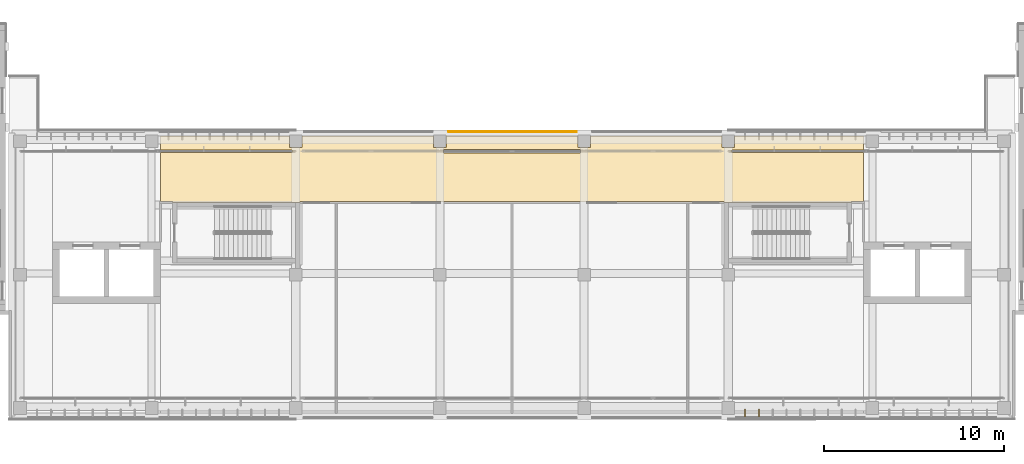
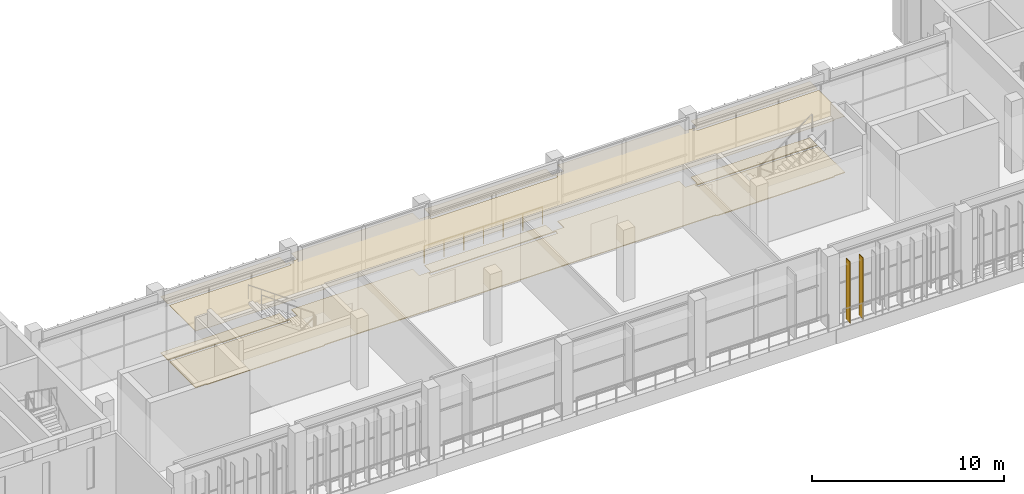
# One storey, part 34 of 46: 2 coverings, 2 shading devices, 1 railing.
"""IFC4 building model written with IfcOpenShell, lengths in metres."""

from ifc_helpers import new_model, si_unit, direction, frame, origin, origin_2d, place, context, subcontext, project, spatial, polyline, rectangle, circle, outline, extrude, material, layer, layer_set, type_object, element, save


model = new_model("IFC4")

# Units and contexts
model_context = context("Model", 3, precision=1e-05, world=origin(), true_north=direction((0.0, 1.0)))
body_context = subcontext(model_context, "Body", "Model", "MODEL_VIEW")
ifc_project = project(units=[si_unit("LENGTHUNIT", "METRE"), si_unit("AREAUNIT", "SQUARE_METRE"), si_unit("VOLUMEUNIT", "CUBIC_METRE"), si_unit("PLANEANGLEUNIT", "RADIAN"), si_unit("MASSUNIT", "GRAM", prefix="KILO")], contexts=[model_context])

# Site, building, storey
site_placement = place(None, origin())
site = spatial("IfcSite", under=ifc_project, at=site_placement, CompositionType="ELEMENT")
building_placement = place(site_placement, origin())
building = spatial("IfcBuilding", under=site, at=building_placement, Name="Lantern Court Media Centre", CompositionType="ELEMENT")
storey_placement = place(building_placement, frame((0.0, 0.0, 28.800048828125)))
storey = spatial("IfcBuildingStorey", under=building, at=storey_placement, Name="L06", CompositionType="ELEMENT", Elevation=28.800048828125)

# Railing
ifc_material_1 = material(Name="Powder-coated steel", Category="steel")
railing_type = type_object("IfcRailingType", Name="Floor edge guard 1100", PredefinedType="GUARDRAIL", material=ifc_material_1)
railing_placement = place(storey_placement, frame((48.48291015625, 57.93994140625, 0.0)))
element("IfcRailing", 1, at=railing_placement, inside=storey, type_object=railing_type, Name="L06 edge guard 239", PredefinedType="GUARDRAIL", context=body_context, shape_type="SweptSolid", body=[
    extrude(circle(Radius=0.02392578125, at=origin_2d()), frame((0.0, 0.0, 1.076171875), z_axis=(1.0, 0.0, 0.0), x_axis=(0.0, 1.0, 0.0)), (0.0, 0.0, 1.0), 7.09814453125),
    extrude(circle(Radius=0.02099609375, at=origin_2d()), origin(), (0.0, 0.0, 1.0), 1.052001953125),
    extrude(circle(Radius=0.02099609375, at=origin_2d()), frame((1.18310546875, 0.0, 0.0)), (0.0, 0.0, 1.0), 1.052001953125),
    extrude(circle(Radius=0.02099609375, at=origin_2d()), frame((2.365966796875, 0.0, 0.0)), (0.0, 0.0, 1.0), 1.052001953125),
    extrude(circle(Radius=0.02099609375, at=origin_2d()), frame((3.549072265625, 0.0, 0.0)), (0.0, 0.0, 1.0), 1.052001953125),
    extrude(circle(Radius=0.02099609375, at=origin_2d()), frame((4.732177734375, 0.0, 0.0)), (0.0, 0.0, 1.0), 1.052001953125),
    extrude(circle(Radius=0.02099609375, at=origin_2d()), frame((5.9150390625, 0.0, 0.0)), (0.0, 0.0, 1.0), 1.052001953125),
    extrude(circle(Radius=0.02099609375, at=origin_2d()), frame((7.09814453125, 0.0, 0.0)), (0.0, 0.0, 1.0), 1.052001953125),
])

# Coverings
ifc_material_2 = material(Name="Mineral fibre ceiling tile")
ifc_layer_1 = layer(ifc_material_2, 0.02001953125)
ifc_layer_set_1 = layer_set([ifc_layer_1], Name="Mineral fibre ceiling tile")
covering_type_1 = type_object("IfcCoveringType", Name="Suspended ceiling tile", PredefinedType="CEILING", material=ifc_layer_set_1)
covering_1_placement = place(storey_placement, frame((0.0, 0.0, 3.599853515625)))
element("IfcCovering", 2, at=covering_1_placement, inside=storey, type_object=covering_type_1, Name="Corridor ceiling", PredefinedType="CEILING", context=body_context, shape_type="SweptSolid", body=[
    extrude(outline(polyline([(71.5, 54.06298828125), (70.849853515625, 54.06298828125), (70.849609375, 54.00048828125), (63.75048828125, 54.00048828125), (63.75, 54.06298828125), (40.25, 54.06298828125), (40.24951171875, 54.00048828125), (33.150390625, 54.00048828125), (33.150146484375, 54.06298828125), (32.5, 54.06298828125), (32.5, 56.7744140625), (39.800048828125, 56.7744140625), (39.800537109375, 56.925048828125), (32.5, 56.925537109375), (32.5, 57.699951171875), (39.6494140625, 57.699951171875), (39.64990234375, 57.049560546875), (40.350341796875, 57.049560546875), (40.3505859375, 57.699951171875), (47.6494140625, 57.699951171875), (47.64990234375, 57.049560546875), (48.350341796875, 57.049560546875), (48.3505859375, 57.699951171875), (55.6494140625, 57.699951171875), (55.64990234375, 57.049560546875), (56.350341796875, 57.049560546875), (56.3505859375, 57.699951171875), (63.6494140625, 57.699951171875), (63.64990234375, 57.049560546875), (64.350341796875, 57.049560546875), (64.3505859375, 57.699951171875), (71.5, 57.699951171875), (71.5, 56.925537109375), (64.199462890625, 56.925048828125), (64.199951171875, 56.7744140625), (71.5, 56.7744140625), (71.5, 54.06298828125)]), holes=[polyline([(48.199462890625, 56.75), (55.800048828125, 56.74951171875), (55.800537109375, 56.949951171875), (48.199951171875, 56.950439453125), (48.199462890625, 56.75)])]), origin(), (0.0, 0.0, 1.0), 0.02001953125),
])
ifc_material_3 = material(Name="Terrazzo")
ifc_layer_2 = layer(ifc_material_3, 0.050048828125)
ifc_layer_set_2 = layer_set([ifc_layer_2], Name="Terrazzo")
covering_type_2 = type_object("IfcCoveringType", Name="Terrazzo floor finish", PredefinedType="FLOORING", material=ifc_layer_set_2)
covering_2_placement = place(storey_placement, origin())
element("IfcCovering", 3, at=covering_2_placement, inside=storey, type_object=covering_type_2, Name="Corridor floor finish", PredefinedType="FLOORING", context=body_context, shape_type="SweptSolid", body=[
    extrude(outline(polyline([(71.5, 54.0673828125), (70.849609375, 54.0673828125), (70.844970703125, 54.0048828125), (63.7548828125, 54.0048828125), (63.75, 54.0673828125), (40.25, 54.0673828125), (40.2451171875, 54.0048828125), (33.155029296875, 54.0048828125), (33.150390625, 54.0673828125), (32.5, 54.0673828125), (32.5, 56.77001953125), (39.800048828125, 56.77001953125), (39.804931640625, 56.926025390625), (32.5, 56.929931640625), (32.5, 57.699951171875), (39.64501953125, 57.699951171875), (39.64990234375, 57.044921875), (40.353515625, 57.04638671875), (40.35498046875, 57.699951171875), (47.64501953125, 57.699951171875), (47.64990234375, 57.044921875), (48.353515625, 57.04638671875), (48.35498046875, 57.699951171875), (55.64501953125, 57.699951171875), (55.64990234375, 57.044921875), (56.353515625, 57.04638671875), (56.35498046875, 57.699951171875), (63.64501953125, 57.699951171875), (63.64990234375, 57.044921875), (64.353515625, 57.04638671875), (64.35498046875, 57.699951171875), (71.5, 57.699951171875), (71.5, 56.929931640625), (64.195068359375, 56.925048828125), (64.199951171875, 56.77001953125), (71.5, 56.77001953125), (71.5, 54.0673828125)]), holes=[polyline([(48.195068359375, 56.75), (55.800048828125, 56.7451171875), (55.804931640625, 56.949951171875), (48.199951171875, 56.955078125), (48.195068359375, 56.75)])]), origin(), (0.0, 0.0, 1.0), 0.050048828125),
])

# Shading devices
ifc_material_4 = material(Name="Bronze anodised aluminium louvre", Category="aluminium")
ifc_layer_3 = layer(ifc_material_4, 0.0400390625)
ifc_layer_set_3 = layer_set([ifc_layer_3], Name="Bronze anodised aluminium louvre")
shading_device_type = type_object("IfcShadingDeviceType", Name="Vertical louvre 40x400 under beam", PredefinedType="USERDEFINED", material=ifc_layer_set_3)
for number, where, z_axis, x_axis, name in (
    (4, (64.933349609375, 42.320068359375, 0.0), (0.0, 0.0, 1.0), (1.0, 0.0, 0.0), "Vertical louvre S outer L06"),
    (5, (65.699951171875, 42.320068359375, 0.0), (0.0, 0.0, 1.0), (1.0, 0.0, 0.0), "Vertical louvre S outer L06"),
):
    element("IfcShadingDevice", number, at=place(storey_placement, frame(where, z_axis=z_axis, x_axis=x_axis)), inside=storey, type_object=shading_device_type, Name=name, ObjectType="VERTICAL LOUVRE", PredefinedType="USERDEFINED", context=body_context, shape_type="SweptSolid", body=[
        extrude(rectangle(XDim=0.0400390625, YDim=0.39990234375, at=origin_2d()), origin(), (0.0, 0.0, 1.0), 3.89990234375),
    ])

save(model, "model.ifc")
